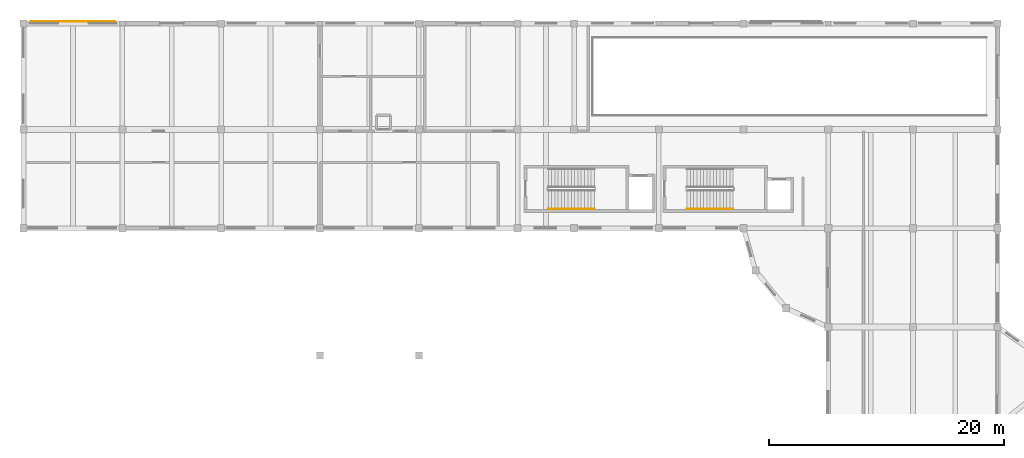
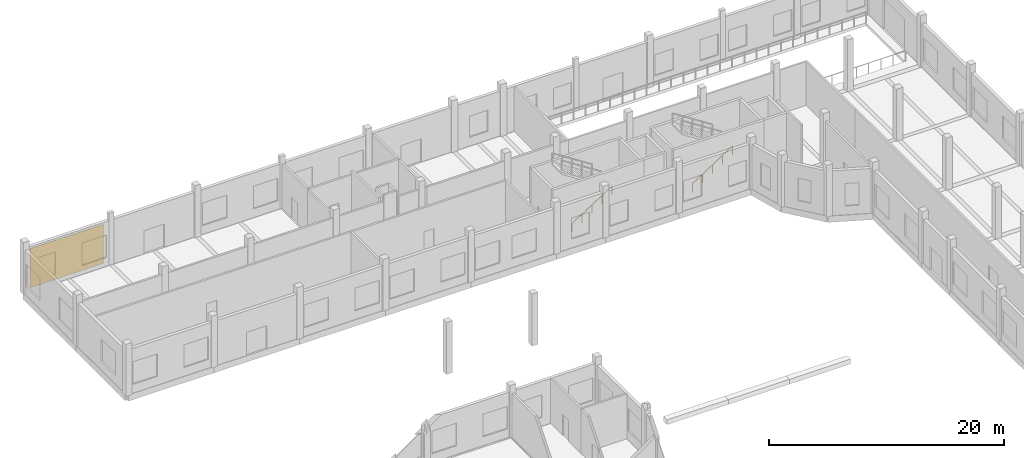
# One storey, part 38 of 41: 2 railings, 1 covering.
"""IFC4 building model written with IfcOpenShell, lengths in metres."""

from ifc_helpers import new_model, si_unit, direction, frame, origin, origin_2d, place, context, subcontext, project, spatial, polyline, circle, outline, extrude, material, layer, layer_set, type_object, element, save


model = new_model("IFC4")

# Units and contexts
model_context = context("Model", 3, precision=1e-05, world=origin(), true_north=direction((0.0, 1.0)))
body_context = subcontext(model_context, "Body", "Model", "MODEL_VIEW")
ifc_project = project(units=[si_unit("LENGTHUNIT", "METRE"), si_unit("AREAUNIT", "SQUARE_METRE"), si_unit("VOLUMEUNIT", "CUBIC_METRE"), si_unit("PLANEANGLEUNIT", "RADIAN"), si_unit("MASSUNIT", "GRAM", prefix="KILO")], contexts=[model_context])

# Site, building, storey
site_placement = place(None, origin())
site = spatial("IfcSite", under=ifc_project, at=site_placement, CompositionType="ELEMENT")
building_placement = place(site_placement, origin())
building = spatial("IfcBuilding", under=site, at=building_placement, Name="Kahlenmark Community Centre", CompositionType="ELEMENT")
storey_placement = place(building_placement, origin())
storey = spatial("IfcBuildingStorey", under=building, at=storey_placement, Name="L00", CompositionType="ELEMENT", Elevation=0.0)

# Covering
ifc_material_1 = material(Name="Honed Danube limestone plinth cladding", Category="masonry")
ifc_layer = layer(ifc_material_1, 0.0400390625)
ifc_layer_set = layer_set([ifc_layer], Name="Honed Danube limestone plinth cladding")
covering_type = type_object("IfcCoveringType", Name="CVT-CLAD-LIME", PredefinedType="CLADDING", material=ifc_layer_set)
covering_placement = place(storey_placement, frame((0.0, 0.0, 0.14990234375)))
element("IfcCovering", 1, at=covering_placement, inside=storey, type_object=covering_type, Name="Danube limestone plinth cladding 07", PredefinedType="CLADDING", context=body_context, shape_type="SweptSolid", body=[
    extrude(outline(polyline([(4.60009765625, 115.139892578125), (11.800048828125, 115.139892578125), (11.800048828125, 115.179931640625), (4.60009765625, 115.179931640625), (4.60009765625, 115.139892578125)])), origin(), (0.0, 0.0, 1.0), 4.050048828125),
])

# Railings
ifc_material_2 = material(Name="Brushed stainless steel 1.4301 handrail", Category="steel")
railing_type = type_object("IfcRailingType", Name="RLT-HR-900", PredefinedType="HANDRAIL", material=ifc_material_2)
railing_1_placement = place(storey_placement, frame((48.60009765625, 99.25, 0.179931640625)))
element("IfcRailing", 2, at=railing_1_placement, inside=storey, type_object=railing_type, Name="L00 ST-04 stair handrail 1", PredefinedType="HANDRAIL", context=body_context, shape_type="SweptSolid", body=[
    extrude(circle(Radius=0.02392578125, at=origin_2d()), frame((0.0, 0.0, 0.8759765625), z_axis=(0.841171666519, 0.0, 0.540768182723), x_axis=(0.0, 1.0, 0.0)), (0.0, 0.0, 1.0), 4.66015625),
    extrude(circle(Radius=0.02099609375, at=origin_2d()), origin(), (0.0, 0.0, 1.0), 0.851806640625),
    extrude(circle(Radius=0.02099609375, at=origin_2d()), frame((0.97998046875, 0.0, 0.6298828125)), (0.0, 0.0, 1.0), 0.851806640625),
    extrude(circle(Radius=0.02099609375, at=origin_2d()), frame((1.9599609375, 0.0, 1.260009765625)), (0.0, 0.0, 1.0), 0.851806640625),
    extrude(circle(Radius=0.02099609375, at=origin_2d()), frame((2.93994140625, 0.0, 1.89013671875)), (0.0, 0.0, 1.0), 0.851806640625),
    extrude(circle(Radius=0.02099609375, at=origin_2d()), frame((3.919921875, 0.0, 2.52001953125)), (0.0, 0.0, 1.0), 0.851806640625),
])
railing_2_placement = place(storey_placement, frame((60.39990234375, 99.25, 0.179931640625)))
element("IfcRailing", 3, at=railing_2_placement, inside=storey, type_object=railing_type, Name="L00 ST-05 stair handrail 1", PredefinedType="HANDRAIL", context=body_context, shape_type="SweptSolid", body=[
    extrude(circle(Radius=0.02392578125, at=origin_2d()), frame((0.0, 0.0, 0.8759765625), z_axis=(0.841186985886, 0.0, 0.540744352514), x_axis=(0.0, 1.0, 0.0)), (0.0, 0.0, 1.0), 4.660400390625),
    extrude(circle(Radius=0.02099609375, at=origin_2d()), origin(), (0.0, 0.0, 1.0), 0.851806640625),
    extrude(circle(Radius=0.02099609375, at=origin_2d()), frame((0.97998046875, 0.0, 0.6298828125)), (0.0, 0.0, 1.0), 0.851806640625),
    extrude(circle(Radius=0.02099609375, at=origin_2d()), frame((1.9599609375, 0.0, 1.260009765625)), (0.0, 0.0, 1.0), 0.851806640625),
    extrude(circle(Radius=0.02099609375, at=origin_2d()), frame((2.940185546875, 0.0, 1.89013671875)), (0.0, 0.0, 1.0), 0.851806640625),
    extrude(circle(Radius=0.02099609375, at=origin_2d()), frame((3.920166015625, 0.0, 2.52001953125)), (0.0, 0.0, 1.0), 0.851806640625),
])

save(model, "model.ifc")
